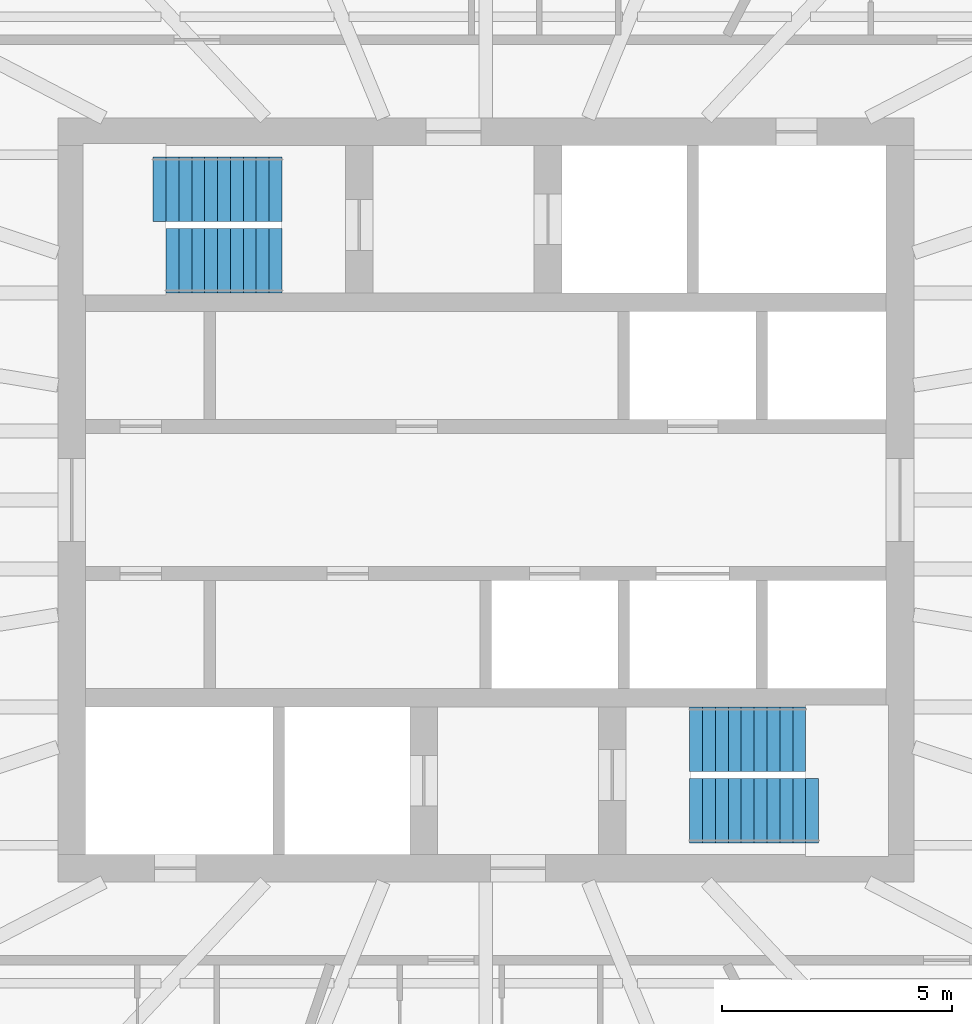
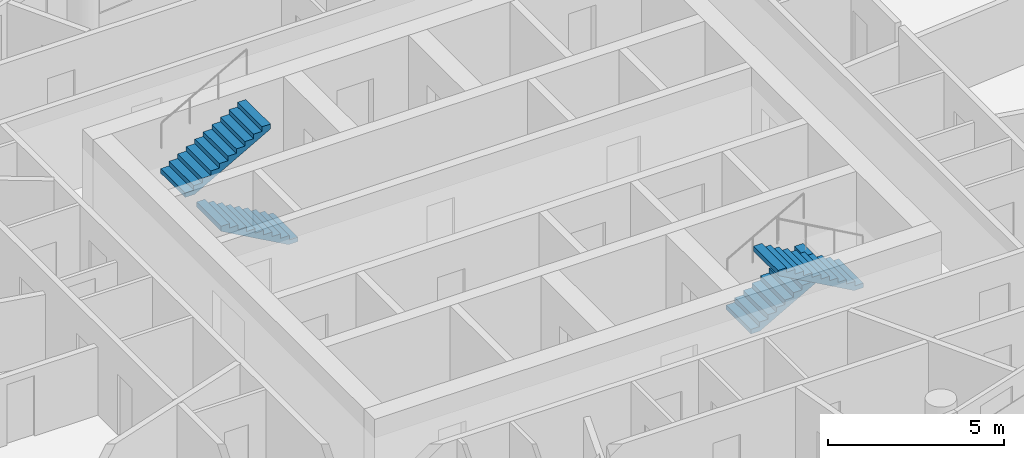
# One storey, part 10 of 11: 4 stair flights, 2 elements without a shape of their own.
"""IFC4 building model written with IfcOpenShell, lengths in metres."""

from ifc_helpers import new_model, si_unit, direction, frame, origin, place, context, subcontext, project, spatial, polyline, outline, extrude, material, type_object, element, aggregate, save


model = new_model("IFC4")

# Units and contexts
model_context = context("Model", 3, precision=1e-05, world=origin(), true_north=direction((0.0, 1.0)))
body_context = subcontext(model_context, "Body", "Model", "MODEL_VIEW")
ifc_project = project(units=[si_unit("LENGTHUNIT", "METRE"), si_unit("AREAUNIT", "SQUARE_METRE"), si_unit("VOLUMEUNIT", "CUBIC_METRE"), si_unit("PLANEANGLEUNIT", "RADIAN"), si_unit("MASSUNIT", "GRAM", prefix="KILO")], contexts=[model_context])

# Site, building, storey
site_placement = place(None, origin())
site = spatial("IfcSite", under=ifc_project, at=site_placement, CompositionType="ELEMENT")
building_placement = place(site_placement, origin())
building = spatial("IfcBuilding", under=site, at=building_placement, Name="Hankou Lantern Tower", CompositionType="ELEMENT")
storey_placement = place(building_placement, frame((0.0, 0.0, 212.699951171875)))
storey = spatial("IfcBuildingStorey", under=building, at=storey_placement, Name="L57", CompositionType="ELEMENT", Elevation=212.699951171875)

# Stair, stair flight
ifc_material_1 = material(Name="Concrete C40", Category="concrete")
stair_type = type_object("IfcStairType", Name="ST33 CORE STAIR 3300 RISE", PredefinedType="HALF_TURN_STAIR", material=ifc_material_1)
stair_1_placement = place(storey_placement, origin())
stair_1 = element("IfcStair", 1, at=stair_1_placement, inside=storey, type_object=stair_type, Name="Stair STA L57", PredefinedType="HALF_TURN_STAIR")
ifc_material_2 = material(Name="Concrete C40", Category="concrete")
stair_flight_type_1 = type_object("IfcStairFlightType", Name="CF10 CORE STAIR FLIGHT 1400 X 10 RISERS", PredefinedType="STRAIGHT", material=ifc_material_2)
stair_flight_1_placement = place(storey_placement, frame((-4.429931640625, 5.199951171875, 0.0), z_axis=(0.0, 0.0, 1.0), x_axis=(-1.0, 0.0, 0.0)))
stair_flight_1 = element("IfcStairFlight", 2, at=stair_flight_1_placement, type_object=stair_flight_type_1, Name="STA flight 1", NumberOfRisers=10, NumberOfTreads=9, PredefinedType="STRAIGHT", RiserHeight=0.157142857, TreadLength=0.28, context=body_context, shape_type="SweptSolid", body=[
    extrude(outline(polyline([(0.0, 0.0), (0.0, 0.1572265625), (0.280029296875, 0.1572265625), (0.280029296875, 0.314208984375), (0.56005859375, 0.314208984375), (0.56005859375, 0.471435546875), (0.840087890625, 0.471435546875), (0.840087890625, 0.628662109375), (1.1201171875, 0.628662109375), (1.1201171875, 0.78564453125), (1.39990234375, 0.78564453125), (1.39990234375, 0.94287109375), (1.679931640625, 0.94287109375), (1.679931640625, 1.10009765625), (1.9599609375, 1.10009765625), (1.9599609375, 1.257080078125), (2.239990234375, 1.257080078125), (2.239990234375, 1.414306640625), (2.52001953125, 1.414306640625), (2.52001953125, 1.571533203125), (2.52001953125, 1.242431640625), (0.306396484375, 0.0), (0.0, 0.0)])), frame((0.0, 0.699951171875, 0.0), z_axis=(0.0, -1.0, 0.0), x_axis=(1.0, 0.0, 0.0)), (0.0, 0.0, 1.0), 1.39990234375),
])

stair_2_placement = place(storey_placement, origin())
stair_2 = element("IfcStair", 3, at=stair_2_placement, inside=storey, type_object=stair_type, Name="Stair STB L57", PredefinedType="HALF_TURN_STAIR")
stair_flight_2_placement = place(storey_placement, frame((4.429931640625, -5.199951171875, 0.0), z_axis=(0.0, 0.0, 1.0), x_axis=(1.0, 0.0, 0.0)))
stair_flight_2 = element("IfcStairFlight", 4, at=stair_flight_2_placement, type_object=stair_flight_type_1, Name="STB flight 1", NumberOfRisers=10, NumberOfTreads=9, PredefinedType="STRAIGHT", RiserHeight=0.157142857, TreadLength=0.28, context=body_context, shape_type="SweptSolid", body=[
    extrude(outline(polyline([(0.0, 0.0), (0.0, 0.1572265625), (0.280029296875, 0.1572265625), (0.280029296875, 0.314208984375), (0.56005859375, 0.314208984375), (0.56005859375, 0.471435546875), (0.840087890625, 0.471435546875), (0.840087890625, 0.628662109375), (1.1201171875, 0.628662109375), (1.1201171875, 0.78564453125), (1.39990234375, 0.78564453125), (1.39990234375, 0.94287109375), (1.679931640625, 0.94287109375), (1.679931640625, 1.10009765625), (1.9599609375, 1.10009765625), (1.9599609375, 1.257080078125), (2.239990234375, 1.257080078125), (2.239990234375, 1.414306640625), (2.52001953125, 1.414306640625), (2.52001953125, 1.571533203125), (2.52001953125, 1.242431640625), (0.306396484375, 0.0), (0.0, 0.0)])), frame((0.0, 0.699951171875, 0.0), z_axis=(0.0, -1.0, 0.0), x_axis=(1.0, 0.0, 0.0)), (0.0, 0.0, 1.0), 1.39990234375),
])

# Stair flight
ifc_material_3 = material(Name="Concrete C40", Category="concrete")
stair_flight_type_2 = type_object("IfcStairFlightType", Name="CF11 CORE STAIR FLIGHT 1400 X 11 RISERS", PredefinedType="STRAIGHT", material=ifc_material_3)
stair_flight_3_placement = place(storey_placement, frame((-7.22998046875, 6.75, 1.571533203125), z_axis=(0.0, 0.0, 1.0), x_axis=(1.0, 0.0, 0.0)))
stair_flight_3 = element("IfcStairFlight", 5, at=stair_flight_3_placement, type_object=stair_flight_type_2, Name="STA flight 2", NumberOfRisers=11, NumberOfTreads=10, PredefinedType="STRAIGHT", RiserHeight=0.157142857, TreadLength=0.28, context=body_context, shape_type="SweptSolid", body=[
    extrude(outline(polyline([(0.0, 0.0), (0.0, 0.1572265625), (0.280029296875, 0.1572265625), (0.280029296875, 0.314208984375), (0.56005859375, 0.314208984375), (0.56005859375, 0.471435546875), (0.840087890625, 0.471435546875), (0.840087890625, 0.628662109375), (1.1201171875, 0.628662109375), (1.1201171875, 0.78564453125), (1.39990234375, 0.78564453125), (1.39990234375, 0.94287109375), (1.679931640625, 0.94287109375), (1.679931640625, 1.10009765625), (1.9599609375, 1.10009765625), (1.9599609375, 1.257080078125), (2.239990234375, 1.257080078125), (2.239990234375, 1.414306640625), (2.52001953125, 1.414306640625), (2.52001953125, 1.571533203125), (2.800048828125, 1.571533203125), (2.800048828125, 1.728515625), (2.800048828125, 1.3994140625), (0.306396484375, 0.0), (0.0, 0.0)])), frame((0.0, 0.699951171875, 0.0), z_axis=(0.0, -1.0, 0.0), x_axis=(1.0, 0.0, 0.0)), (0.0, 0.0, 1.0), 1.39990234375),
])

aggregate(stair_1, [stair_flight_1, stair_flight_3])

stair_flight_4_placement = place(storey_placement, frame((7.22998046875, -6.75, 1.571533203125), z_axis=(0.0, 0.0, 1.0), x_axis=(-1.0, 0.0, 0.0)))
stair_flight_4 = element("IfcStairFlight", 6, at=stair_flight_4_placement, type_object=stair_flight_type_2, Name="STB flight 2", NumberOfRisers=11, NumberOfTreads=10, PredefinedType="STRAIGHT", RiserHeight=0.157142857, TreadLength=0.28, context=body_context, shape_type="SweptSolid", body=[
    extrude(outline(polyline([(0.0, 0.0), (0.0, 0.1572265625), (0.280029296875, 0.1572265625), (0.280029296875, 0.314208984375), (0.56005859375, 0.314208984375), (0.56005859375, 0.471435546875), (0.840087890625, 0.471435546875), (0.840087890625, 0.628662109375), (1.1201171875, 0.628662109375), (1.1201171875, 0.78564453125), (1.39990234375, 0.78564453125), (1.39990234375, 0.94287109375), (1.679931640625, 0.94287109375), (1.679931640625, 1.10009765625), (1.9599609375, 1.10009765625), (1.9599609375, 1.257080078125), (2.239990234375, 1.257080078125), (2.239990234375, 1.414306640625), (2.52001953125, 1.414306640625), (2.52001953125, 1.571533203125), (2.800048828125, 1.571533203125), (2.800048828125, 1.728515625), (2.800048828125, 1.3994140625), (0.306396484375, 0.0), (0.0, 0.0)])), frame((0.0, 0.699951171875, 0.0), z_axis=(0.0, -1.0, 0.0), x_axis=(1.0, 0.0, 0.0)), (0.0, 0.0, 1.0), 1.39990234375),
])

aggregate(stair_2, [stair_flight_2, stair_flight_4])

save(model, "model.ifc")
